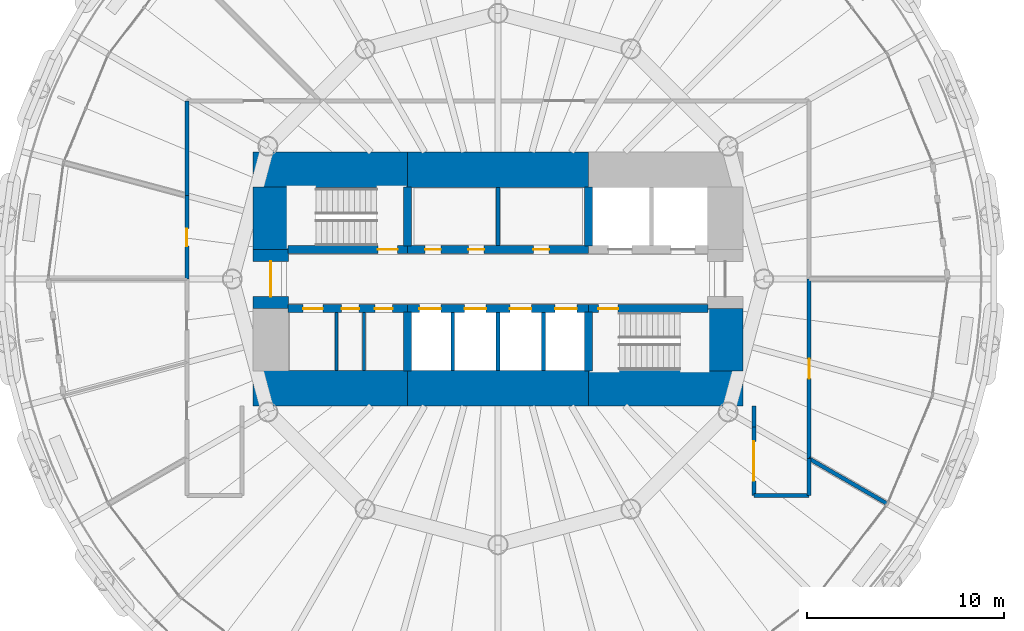
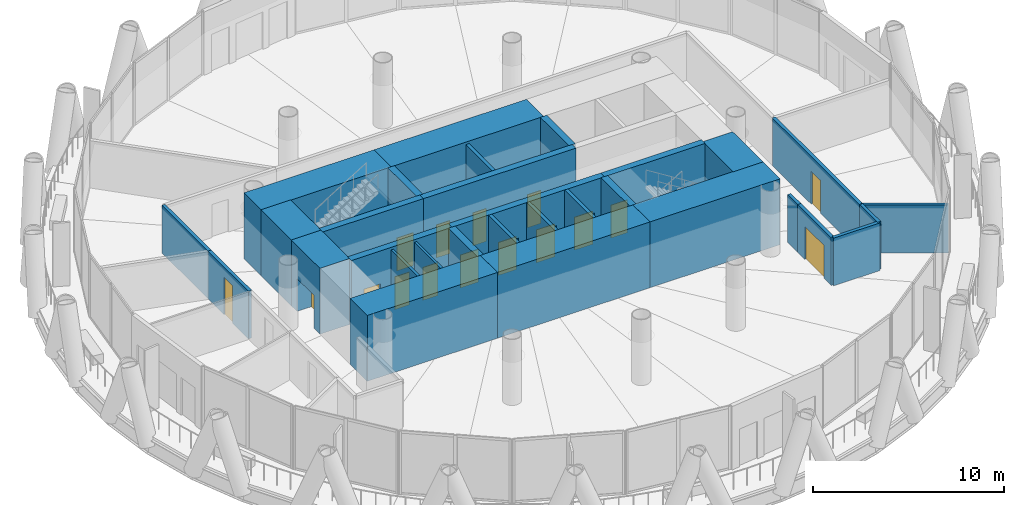
# One storey, part 10 of 15: 31 walls, 16 doors, 16 openings.
"""IFC4 building model written with IfcOpenShell, lengths in metres."""

from ifc_helpers import new_model, si_unit, direction, frame, frame_2d, origin, place, context, subcontext, project, spatial, rectangle, extrude, material, layer, layer_set, type_object, element, fill, save


model = new_model("IFC4")

# Units and contexts
model_context = context("Model", 3, precision=1e-05, world=origin(), true_north=direction((0.0, 1.0)))
body_context = subcontext(model_context, "Body", "Model", "MODEL_VIEW")
ifc_project = project(units=[si_unit("LENGTHUNIT", "METRE"), si_unit("AREAUNIT", "SQUARE_METRE"), si_unit("VOLUMEUNIT", "CUBIC_METRE"), si_unit("PLANEANGLEUNIT", "RADIAN"), si_unit("MASSUNIT", "GRAM", prefix="KILO")], contexts=[model_context])

# Site, building, storey
site_placement = place(None, origin())
site = spatial("IfcSite", under=ifc_project, at=site_placement, CompositionType="ELEMENT")
building_placement = place(site_placement, origin())
building = spatial("IfcBuilding", under=site, at=building_placement, Name="Qaws Media Tower", CompositionType="ELEMENT")
storey_placement = place(building_placement, frame((0.0, 0.0, 114.199951171875)))
storey = spatial("IfcBuildingStorey", under=building, at=storey_placement, Name="L25", CompositionType="ELEMENT", Elevation=114.199951171875)

# Wall, opening, door
ifc_material_1 = material(Name="Concrete C60/75", Category="concrete")
ifc_layer_1 = layer(ifc_material_1, 0.39990234375)
ifc_layer_set_1 = layer_set([ifc_layer_1], Name="Core inner wall 400")
wall_type_1 = type_object("IfcWallType", Name="Core inner wall 400", PredefinedType="SHEAR", material=ifc_layer_set_1)
wall_1_placement = place(storey_placement, frame((49.330078125, 51.5, 0.0), z_axis=(0.0, 0.0, 1.0), x_axis=(1.0, 0.0, 0.0)))
wall_1 = element("IfcWall", 1, at=wall_1_placement, inside=storey, type_object=wall_type_1, Name="W321 SW4 core wall SPNW L25", PredefinedType="SHEAR", context=body_context, shape_type="SweptSolid", body=[
    extrude(rectangle(XDim=6.06982421875, YDim=0.39990234375, at=frame_2d((3.034912109375, 0.0))), origin(), (0.0, 0.0, 1.0), 4.199951171875),
])
opening_1_placement = place(wall_1_placement, frame((4.570068359375, 0.0, 0.0)))
opening_1 = element("IfcOpeningElement", 2, at=opening_1_placement, cuts=wall_1, Name="Opening D1", PredefinedType="OPENING", context=body_context, shape_type="SweptSolid", body=[
    extrude(rectangle(XDim=1.0, YDim=2.10009765625, at=frame_2d((0.5, 1.050048828125))), frame((0.0, 0.2099609375, 0.0), z_axis=(0.0, -1.0, 0.0), x_axis=(1.0, 0.0, 0.0)), (0.0, 0.0, 1.0), 0.419921875),
])
ifc_material_2 = material(Name="Steel, fire rated", Category="steel")
door_type_1 = type_object("IfcDoorType", Name="Stair door 1000 FD120", OperationType="SINGLE_SWING_LEFT", PredefinedType="DOOR", material=ifc_material_2)
door_1_placement = place(opening_1_placement, origin())
door_1 = element("IfcDoor", 3, at=door_1_placement, inside=storey, type_object=door_type_1, Name="D1 stair S1 door L25 in wall W321", OperationType="SINGLE_SWING_LEFT", OverallHeight=2.10009765625, OverallWidth=1.0, PredefinedType="DOOR", context=body_context, shape_type="SweptSolid", body=[
    extrude(rectangle(XDim=1.0, YDim=2.10009765625, at=frame_2d((0.5, 1.050048828125))), frame((0.0, 0.02490234375, 0.0), z_axis=(0.0, -1.0, 0.0), x_axis=(1.0, 0.0, 0.0)), (0.0, 0.0, 1.0), 0.050048828125),
])
fill(opening_1, door_1)

# Wall, openings, doors
wall_2_placement = place(storey_placement, frame((55.39990234375, 51.5, 0.0), z_axis=(0.0, 0.0, 1.0), x_axis=(1.0, 0.0, 0.0)))
wall_2 = element("IfcWall", 4, at=wall_2_placement, inside=storey, type_object=wall_type_1, Name="W314 SW4 core wall SPN L25", PredefinedType="SHEAR", context=body_context, shape_type="SweptSolid", body=[
    extrude(rectangle(XDim=9.2001953125, YDim=0.39990234375, at=frame_2d((4.60009765625, 0.0))), origin(), (0.0, 0.0, 1.0), 4.199951171875),
])
opening_2_placement = place(wall_2_placement, frame((0.89990234375, 0.0, 0.0)))
opening_2 = element("IfcOpeningElement", 5, at=opening_2_placement, cuts=wall_2, Name="Opening D23", PredefinedType="OPENING", context=body_context, shape_type="SweptSolid", body=[
    extrude(rectangle(XDim=0.800048828125, YDim=2.10009765625, at=frame_2d((0.39990234375, 1.050048828125))), frame((0.0, 0.2099609375, 0.0), z_axis=(0.0, -1.0, 0.0), x_axis=(1.0, 0.0, 0.0)), (0.0, 0.0, 1.0), 0.419921875),
])
opening_3_placement = place(wall_2_placement, frame((3.10009765625, 0.0, 0.0)))
opening_3 = element("IfcOpeningElement", 6, at=opening_3_placement, cuts=wall_2, Name="Opening D23", PredefinedType="OPENING", context=body_context, shape_type="SweptSolid", body=[
    extrude(rectangle(XDim=0.800048828125, YDim=2.10009765625, at=frame_2d((0.39990234375, 1.050048828125))), frame((0.0, 0.2099609375, 0.0), z_axis=(0.0, -1.0, 0.0), x_axis=(1.0, 0.0, 0.0)), (0.0, 0.0, 1.0), 0.419921875),
])
opening_4_placement = place(wall_2_placement, frame((6.39990234375, 0.0, 0.0)))
opening_4 = element("IfcOpeningElement", 7, at=opening_4_placement, cuts=wall_2, Name="Opening D23", PredefinedType="OPENING", context=body_context, shape_type="SweptSolid", body=[
    extrude(rectangle(XDim=0.800048828125, YDim=2.10009765625, at=frame_2d((0.39990234375, 1.050048828125))), frame((0.0, 0.2099609375, 0.0), z_axis=(0.0, -1.0, 0.0), x_axis=(1.0, 0.0, 0.0)), (0.0, 0.0, 1.0), 0.419921875),
])
ifc_material_3 = material(Name="Steel, fire rated", Category="steel")
door_type_2 = type_object("IfcDoorType", Name="Core room door 800x2100", OperationType="SINGLE_SWING_LEFT", PredefinedType="DOOR", material=ifc_material_3)
door_2_placement = place(opening_2_placement, origin())
door_2 = element("IfcDoor", 8, at=door_2_placement, inside=storey, type_object=door_type_2, Name="D23 Ladies toilets door L25 1 in wall W314", OperationType="SINGLE_SWING_LEFT", OverallHeight=2.10009765625, OverallWidth=0.800048828125, PredefinedType="DOOR", context=body_context, shape_type="SweptSolid", body=[
    extrude(rectangle(XDim=0.800048828125, YDim=2.10009765625, at=frame_2d((0.39990234375, 1.050048828125))), frame((0.0, 0.02490234375, 0.0), z_axis=(0.0, -1.0, 0.0), x_axis=(1.0, 0.0, 0.0)), (0.0, 0.0, 1.0), 0.050048828125),
])
fill(opening_2, door_2)
door_3_placement = place(opening_3_placement, origin())
door_3 = element("IfcDoor", 9, at=door_3_placement, inside=storey, type_object=door_type_2, Name="D23 Ladies toilets door L25 2 in wall W314", OperationType="SINGLE_SWING_LEFT", OverallHeight=2.10009765625, OverallWidth=0.800048828125, PredefinedType="DOOR", context=body_context, shape_type="SweptSolid", body=[
    extrude(rectangle(XDim=0.800048828125, YDim=2.10009765625, at=frame_2d((0.39990234375, 1.050048828125))), frame((0.0, 0.02490234375, 0.0), z_axis=(0.0, -1.0, 0.0), x_axis=(1.0, 0.0, 0.0)), (0.0, 0.0, 1.0), 0.050048828125),
])
fill(opening_3, door_3)
door_4_placement = place(opening_4_placement, origin())
door_4 = element("IfcDoor", 10, at=door_4_placement, inside=storey, type_object=door_type_2, Name="D23 Gents toilets door L25 in wall W314", OperationType="SINGLE_SWING_LEFT", OverallHeight=2.10009765625, OverallWidth=0.800048828125, PredefinedType="DOOR", context=body_context, shape_type="SweptSolid", body=[
    extrude(rectangle(XDim=0.800048828125, YDim=2.10009765625, at=frame_2d((0.39990234375, 1.050048828125))), frame((0.0, 0.02490234375, 0.0), z_axis=(0.0, -1.0, 0.0), x_axis=(1.0, 0.0, 0.0)), (0.0, 0.0, 1.0), 0.050048828125),
])
fill(opening_4, door_4)

wall_3_placement = place(storey_placement, frame((49.330078125, 48.5, 0.0), z_axis=(0.0, 0.0, 1.0), x_axis=(1.0, 0.0, 0.0)))
wall_3 = element("IfcWall", 11, at=wall_3_placement, inside=storey, type_object=wall_type_1, Name="W320 SW4 core wall SPSW L25", PredefinedType="SHEAR", context=body_context, shape_type="SweptSolid", body=[
    extrude(rectangle(XDim=6.06982421875, YDim=0.39990234375, at=frame_2d((3.034912109375, 0.0))), origin(), (0.0, 0.0, 1.0), 4.199951171875),
])
opening_5_placement = place(wall_3_placement, frame((0.77001953125, 0.0, 0.0)))
opening_5 = element("IfcOpeningElement", 12, at=opening_5_placement, cuts=wall_3, Name="Opening D4", PredefinedType="OPENING", context=body_context, shape_type="SweptSolid", body=[
    extrude(rectangle(XDim=1.0, YDim=2.10009765625, at=frame_2d((0.5, 1.050048828125))), frame((0.0, 0.2099609375, 0.0), z_axis=(0.0, -1.0, 0.0), x_axis=(1.0, 0.0, 0.0)), (0.0, 0.0, 1.0), 0.419921875),
])
opening_6_placement = place(wall_3_placement, frame((2.719970703125, 0.0, 0.0)))
opening_6 = element("IfcOpeningElement", 13, at=opening_6_placement, cuts=wall_3, Name="Opening D25", PredefinedType="OPENING", context=body_context, shape_type="SweptSolid", body=[
    extrude(rectangle(XDim=0.89990234375, YDim=2.10009765625, at=frame_2d((0.449951171875, 1.050048828125))), frame((0.0, 0.2099609375, 0.0), z_axis=(0.0, -1.0, 0.0), x_axis=(1.0, 0.0, 0.0)), (0.0, 0.0, 1.0), 0.419921875),
])
opening_7_placement = place(wall_3_placement, frame((4.419921875, 0.0, 0.0)))
opening_7 = element("IfcOpeningElement", 14, at=opening_7_placement, cuts=wall_3, Name="Opening D25", PredefinedType="OPENING", context=body_context, shape_type="SweptSolid", body=[
    extrude(rectangle(XDim=0.89990234375, YDim=2.10009765625, at=frame_2d((0.449951171875, 1.050048828125))), frame((0.0, 0.2099609375, 0.0), z_axis=(0.0, -1.0, 0.0), x_axis=(1.0, 0.0, 0.0)), (0.0, 0.0, 1.0), 0.419921875),
])
ifc_material_4 = material(Name="Timber veneered", Category="wood")
door_type_3 = type_object("IfcDoorType", Name="Accessible WC door 1000", OperationType="SLIDING_TO_LEFT", PredefinedType="DOOR", material=ifc_material_4)
door_5_placement = place(opening_5_placement, origin())
door_5 = element("IfcDoor", 15, at=door_5_placement, inside=storey, type_object=door_type_3, Name="D4 toilet door 1 L25 in wall W320", OperationType="SLIDING_TO_LEFT", OverallHeight=2.10009765625, OverallWidth=1.0, PredefinedType="DOOR", context=body_context, shape_type="SweptSolid", body=[
    extrude(rectangle(XDim=1.0, YDim=2.10009765625, at=frame_2d((0.5, 1.050048828125))), frame((0.0, 0.02490234375, 0.0), z_axis=(0.0, -1.0, 0.0), x_axis=(1.0, 0.0, 0.0)), (0.0, 0.0, 1.0), 0.050048828125),
])
fill(opening_5, door_5)
ifc_material_5 = material(Name="Steel, fire rated", Category="steel")
door_type_4 = type_object("IfcDoorType", Name="Core service door 900", OperationType="SINGLE_SWING_RIGHT", PredefinedType="DOOR", material=ifc_material_5)
door_6_placement = place(opening_6_placement, origin())
door_6 = element("IfcDoor", 16, at=door_6_placement, inside=storey, type_object=door_type_4, Name="D25 toilet door 2 L25 in wall W320", OperationType="SINGLE_SWING_RIGHT", OverallHeight=2.10009765625, OverallWidth=0.89990234375, PredefinedType="DOOR", context=body_context, shape_type="SweptSolid", body=[
    extrude(rectangle(XDim=0.89990234375, YDim=2.10009765625, at=frame_2d((0.449951171875, 1.050048828125))), frame((0.0, 0.02490234375, 0.0), z_axis=(0.0, -1.0, 0.0), x_axis=(1.0, 0.0, 0.0)), (0.0, 0.0, 1.0), 0.050048828125),
])
fill(opening_6, door_6)
door_7_placement = place(opening_7_placement, origin())
door_7 = element("IfcDoor", 17, at=door_7_placement, inside=storey, type_object=door_type_4, Name="D25 toilet door 3 L25 in wall W320", OperationType="SINGLE_SWING_RIGHT", OverallHeight=2.10009765625, OverallWidth=0.89990234375, PredefinedType="DOOR", context=body_context, shape_type="SweptSolid", body=[
    extrude(rectangle(XDim=0.89990234375, YDim=2.10009765625, at=frame_2d((0.449951171875, 1.050048828125))), frame((0.0, 0.02490234375, 0.0), z_axis=(0.0, -1.0, 0.0), x_axis=(1.0, 0.0, 0.0)), (0.0, 0.0, 1.0), 0.050048828125),
])
fill(opening_7, door_7)

wall_4_placement = place(storey_placement, frame((55.39990234375, 48.5, 0.0), z_axis=(0.0, 0.0, 1.0), x_axis=(1.0, 0.0, 0.0)))
wall_4 = element("IfcWall", 18, at=wall_4_placement, inside=storey, type_object=wall_type_1, Name="W313 SW4 core wall SPS L25", PredefinedType="SHEAR", context=body_context, shape_type="SweptSolid", body=[
    extrude(rectangle(XDim=9.2001953125, YDim=0.39990234375, at=frame_2d((4.60009765625, 0.0))), origin(), (0.0, 0.0, 1.0), 4.199951171875),
])
opening_8_placement = place(wall_4_placement, frame((0.60009765625, 0.0, 0.0)))
opening_8 = element("IfcOpeningElement", 19, at=opening_8_placement, cuts=wall_4, Name="Opening LD", PredefinedType="OPENING", context=body_context, shape_type="SweptSolid", body=[
    extrude(rectangle(XDim=1.10009765625, YDim=2.10009765625, at=frame_2d((0.550048828125, 1.050048828125))), frame((0.0, 0.2099609375, 0.0), z_axis=(0.0, -1.0, 0.0), x_axis=(1.0, 0.0, 0.0)), (0.0, 0.0, 1.0), 0.419921875),
])
opening_9_placement = place(wall_4_placement, frame((2.89990234375, 0.0, 0.0)))
opening_9 = element("IfcOpeningElement", 20, at=opening_9_placement, cuts=wall_4, Name="Opening LD", PredefinedType="OPENING", context=body_context, shape_type="SweptSolid", body=[
    extrude(rectangle(XDim=1.10009765625, YDim=2.10009765625, at=frame_2d((0.550048828125, 1.050048828125))), frame((0.0, 0.2099609375, 0.0), z_axis=(0.0, -1.0, 0.0), x_axis=(1.0, 0.0, 0.0)), (0.0, 0.0, 1.0), 0.419921875),
])
opening_10_placement = place(wall_4_placement, frame((5.199951171875, 0.0, 0.0)))
opening_10 = element("IfcOpeningElement", 21, at=opening_10_placement, cuts=wall_4, Name="Opening LD", PredefinedType="OPENING", context=body_context, shape_type="SweptSolid", body=[
    extrude(rectangle(XDim=1.10009765625, YDim=2.10009765625, at=frame_2d((0.550048828125, 1.050048828125))), frame((0.0, 0.2099609375, 0.0), z_axis=(0.0, -1.0, 0.0), x_axis=(1.0, 0.0, 0.0)), (0.0, 0.0, 1.0), 0.419921875),
])
opening_11_placement = place(wall_4_placement, frame((7.5, 0.0, 0.0)))
opening_11 = element("IfcOpeningElement", 22, at=opening_11_placement, cuts=wall_4, Name="Opening LD", PredefinedType="OPENING", context=body_context, shape_type="SweptSolid", body=[
    extrude(rectangle(XDim=1.10009765625, YDim=2.10009765625, at=frame_2d((0.550048828125, 1.050048828125))), frame((0.0, 0.2099609375, 0.0), z_axis=(0.0, -1.0, 0.0), x_axis=(1.0, 0.0, 0.0)), (0.0, 0.0, 1.0), 0.419921875),
])
ifc_material_6 = material(Name="Steel, fire rated", Category="steel")
door_type_5 = type_object("IfcDoorType", Name="Lift landing door 1100", OperationType="SLIDING_TO_LEFT", PredefinedType="DOOR", material=ifc_material_6)
door_8_placement = place(opening_8_placement, origin())
door_8 = element("IfcDoor", 23, at=door_8_placement, inside=storey, type_object=door_type_5, Name="P5 landing door L25 in wall W313", OperationType="SLIDING_TO_LEFT", OverallHeight=2.10009765625, OverallWidth=1.10009765625, PredefinedType="DOOR", context=body_context, shape_type="SweptSolid", body=[
    extrude(rectangle(XDim=1.10009765625, YDim=2.10009765625, at=frame_2d((0.550048828125, 1.050048828125))), frame((0.0, 0.02490234375, 0.0), z_axis=(0.0, -1.0, 0.0), x_axis=(1.0, 0.0, 0.0)), (0.0, 0.0, 1.0), 0.050048828125),
])
fill(opening_8, door_8)
door_9_placement = place(opening_9_placement, origin())
door_9 = element("IfcDoor", 24, at=door_9_placement, inside=storey, type_object=door_type_5, Name="P6 landing door L25 in wall W313", OperationType="SLIDING_TO_LEFT", OverallHeight=2.10009765625, OverallWidth=1.10009765625, PredefinedType="DOOR", context=body_context, shape_type="SweptSolid", body=[
    extrude(rectangle(XDim=1.10009765625, YDim=2.10009765625, at=frame_2d((0.550048828125, 1.050048828125))), frame((0.0, 0.02490234375, 0.0), z_axis=(0.0, -1.0, 0.0), x_axis=(1.0, 0.0, 0.0)), (0.0, 0.0, 1.0), 0.050048828125),
])
fill(opening_9, door_9)
door_10_placement = place(opening_10_placement, origin())
door_10 = element("IfcDoor", 25, at=door_10_placement, inside=storey, type_object=door_type_5, Name="P7 landing door L25 in wall W313", OperationType="SLIDING_TO_LEFT", OverallHeight=2.10009765625, OverallWidth=1.10009765625, PredefinedType="DOOR", context=body_context, shape_type="SweptSolid", body=[
    extrude(rectangle(XDim=1.10009765625, YDim=2.10009765625, at=frame_2d((0.550048828125, 1.050048828125))), frame((0.0, 0.02490234375, 0.0), z_axis=(0.0, -1.0, 0.0), x_axis=(1.0, 0.0, 0.0)), (0.0, 0.0, 1.0), 0.050048828125),
])
fill(opening_10, door_10)
door_11_placement = place(opening_11_placement, origin())
door_11 = element("IfcDoor", 26, at=door_11_placement, inside=storey, type_object=door_type_5, Name="P8 landing door L25 in wall W313", OperationType="SLIDING_TO_LEFT", OverallHeight=2.10009765625, OverallWidth=1.10009765625, PredefinedType="DOOR", context=body_context, shape_type="SweptSolid", body=[
    extrude(rectangle(XDim=1.10009765625, YDim=2.10009765625, at=frame_2d((0.550048828125, 1.050048828125))), frame((0.0, 0.02490234375, 0.0), z_axis=(0.0, -1.0, 0.0), x_axis=(1.0, 0.0, 0.0)), (0.0, 0.0, 1.0), 0.050048828125),
])
fill(opening_11, door_11)

# Wall, opening, door
wall_5_placement = place(storey_placement, frame((64.60009765625, 48.5, 0.0), z_axis=(0.0, 0.0, 1.0), x_axis=(1.0, 0.0, 0.0)))
wall_5 = element("IfcWall", 27, at=wall_5_placement, inside=storey, type_object=wall_type_1, Name="W325 SW4 core wall SPSE L25", PredefinedType="SHEAR", context=body_context, shape_type="SweptSolid", body=[
    extrude(rectangle(XDim=6.06982421875, YDim=0.39990234375, at=frame_2d((3.034912109375, 0.0))), origin(), (0.0, 0.0, 1.0), 4.199951171875),
])
opening_12_placement = place(wall_5_placement, frame((0.5, 0.0, 0.0)))
opening_12 = element("IfcOpeningElement", 28, at=opening_12_placement, cuts=wall_5, Name="Opening D1", PredefinedType="OPENING", context=body_context, shape_type="SweptSolid", body=[
    extrude(rectangle(XDim=1.0, YDim=2.10009765625, at=frame_2d((0.5, 1.050048828125))), frame((0.0, 0.2099609375, 0.0), z_axis=(0.0, -1.0, 0.0), x_axis=(1.0, 0.0, 0.0)), (0.0, 0.0, 1.0), 0.419921875),
])
door_12_placement = place(opening_12_placement, origin())
door_12 = element("IfcDoor", 29, at=door_12_placement, inside=storey, type_object=door_type_1, Name="D1 stair S2 door L25 in wall W325", OperationType="SINGLE_SWING_LEFT", OverallHeight=2.10009765625, OverallWidth=1.0, PredefinedType="DOOR", context=body_context, shape_type="SweptSolid", body=[
    extrude(rectangle(XDim=1.0, YDim=2.10009765625, at=frame_2d((0.5, 1.050048828125))), frame((0.0, 0.02490234375, 0.0), z_axis=(0.0, -1.0, 0.0), x_axis=(1.0, 0.0, 0.0)), (0.0, 0.0, 1.0), 0.050048828125),
])
fill(opening_12, door_12)

# Walls
for number, where, z_axis, x_axis, name in (
    (30, (55.39990234375, 51.679931640625, 0.0), (0.0, 0.0, 1.0), (0.0, 1.0, 0.0), "W323 SW4 core wall XNW L25"),
    (31, (64.60009765625, 51.679931640625, 0.0), (0.0, 0.0, 1.0), (0.0, 1.0, 0.0), "W327 SW4 core wall XNE L25"),
    (32, (55.39990234375, 48.320068359375, 0.0), (0.0, 0.0, 1.0), (0.0, -1.0, 0.0), "W322 SW4 core wall XSW L25"),
    (33, (64.60009765625, 48.320068359375, 0.0), (0.0, 0.0, 1.0), (0.0, -1.0, 0.0), "W324 SW4 core wall XSE L25"),
):
    element("IfcWall", number, at=place(storey_placement, frame(where, z_axis=z_axis, x_axis=x_axis)), inside=storey, type_object=wall_type_1, Name=name, PredefinedType="SHEAR", context=body_context, shape_type="SweptSolid", body=[
        extrude(rectangle(XDim=2.989990234375, YDim=0.39990234375, at=frame_2d((1.4951171875, 0.0))), origin(), (0.0, 0.0, 1.0), 4.199951171875),
    ])
ifc_material_7 = material(Name="Concrete C60/75", Category="concrete")
ifc_layer_2 = layer(ifc_material_7, 1.800048828125)
ifc_layer_set_2 = layer_set([ifc_layer_2], Name="Core wall 1800")
wall_type_2 = type_object("IfcWallType", Name="Core wall 1800", PredefinedType="SHEAR", material=ifc_layer_set_2)
wall_6_placement = place(storey_placement, frame((47.550048828125, 55.550048828125, 0.0), z_axis=(0.0, 0.0, 1.0), x_axis=(1.0, 0.0, 0.0)))
element("IfcWall", 34, at=wall_6_placement, inside=storey, type_object=wall_type_2, Name="W417 SW11 core wall NW L25", PredefinedType="SHEAR", context=body_context, shape_type="SweptSolid", body=[
    extrude(rectangle(XDim=7.849853515625, YDim=1.800048828125, at=frame_2d((3.9248046875, 0.0))), origin(), (0.0, 0.0, 1.0), 4.199951171875),
])
wall_7_placement = place(storey_placement, frame((55.39990234375, 55.550048828125, 0.0), z_axis=(0.0, 0.0, 1.0), x_axis=(1.0, 0.0, 0.0)))
element("IfcWall", 35, at=wall_7_placement, inside=storey, type_object=wall_type_2, Name="W421 SW11 core wall N L25", PredefinedType="SHEAR", context=body_context, shape_type="SweptSolid", body=[
    extrude(rectangle(XDim=9.2001953125, YDim=1.800048828125, at=frame_2d((4.60009765625, 0.0))), origin(), (0.0, 0.0, 1.0), 4.199951171875),
])
wall_8_placement = place(storey_placement, frame((47.550048828125, 44.449951171875, 0.0), z_axis=(0.0, 0.0, 1.0), x_axis=(1.0, 0.0, 0.0)))
element("IfcWall", 36, at=wall_8_placement, inside=storey, type_object=wall_type_2, Name="W416 SW11 core wall SW L25", PredefinedType="SHEAR", context=body_context, shape_type="SweptSolid", body=[
    extrude(rectangle(XDim=7.849853515625, YDim=1.800048828125, at=frame_2d((3.9248046875, 0.0))), origin(), (0.0, 0.0, 1.0), 4.199951171875),
])
wall_9_placement = place(storey_placement, frame((55.39990234375, 44.449951171875, 0.0), z_axis=(0.0, 0.0, 1.0), x_axis=(1.0, 0.0, 0.0)))
element("IfcWall", 37, at=wall_9_placement, inside=storey, type_object=wall_type_2, Name="W420 SW11 core wall S L25", PredefinedType="SHEAR", context=body_context, shape_type="SweptSolid", body=[
    extrude(rectangle(XDim=9.2001953125, YDim=1.800048828125, at=frame_2d((4.60009765625, 0.0))), origin(), (0.0, 0.0, 1.0), 4.199951171875),
])
wall_10_placement = place(storey_placement, frame((64.60009765625, 44.449951171875, 0.0), z_axis=(0.0, 0.0, 1.0), x_axis=(1.0, 0.0, 0.0)))
element("IfcWall", 38, at=wall_10_placement, inside=storey, type_object=wall_type_2, Name="W422 SW11 core wall SE L25", PredefinedType="SHEAR", context=body_context, shape_type="SweptSolid", body=[
    extrude(rectangle(XDim=7.849853515625, YDim=1.800048828125, at=frame_2d((3.9248046875, 0.0))), origin(), (0.0, 0.0, 1.0), 4.199951171875),
])
wall_11_placement = place(storey_placement, frame((71.550048828125, 45.330078125, 0.0), z_axis=(0.0, 0.0, 1.0), x_axis=(0.0, 1.0, 0.0)))
element("IfcWall", 39, at=wall_11_placement, inside=storey, type_object=wall_type_2, Name="W424 SW11 core wall ES L25", PredefinedType="SHEAR", context=body_context, shape_type="SweptSolid", body=[
    extrude(rectangle(XDim=3.169921875, YDim=1.800048828125, at=frame_2d((1.5849609375, 0.0))), origin(), (0.0, 0.0, 1.0), 4.199951171875),
])

# Wall, opening, door
wall_12_placement = place(storey_placement, frame((48.449951171875, 48.5, 0.0), z_axis=(0.0, 0.0, 1.0), x_axis=(0.0, 1.0, 0.0)))
wall_12 = element("IfcWall", 40, at=wall_12_placement, inside=storey, type_object=wall_type_2, Name="W426 SW11 core wall W L25", PredefinedType="SHEAR", context=body_context, shape_type="SweptSolid", body=[
    extrude(rectangle(XDim=3.0, YDim=1.800048828125, at=frame_2d((1.5, 0.0))), origin(), (0.0, 0.0, 1.0), 4.199951171875),
])
opening_13_placement = place(wall_12_placement, frame((0.60009765625, 0.0, 0.0)))
opening_13 = element("IfcOpeningElement", 41, at=opening_13_placement, cuts=wall_12, Name="Opening D2", PredefinedType="OPENING", context=body_context, shape_type="SweptSolid", body=[
    extrude(rectangle(XDim=1.800048828125, YDim=2.10009765625, at=frame_2d((0.89990234375, 1.050048828125))), frame((0.0, 0.909912109375, 0.0), z_axis=(0.0, -1.0, 0.0), x_axis=(1.0, 0.0, 0.0)), (0.0, 0.0, 1.0), 1.820068359375),
])
ifc_material_8 = material(Name="Steel and glass, fire rated", Category="steel")
door_type_6 = type_object("IfcDoorType", Name="Lobby door pair 1800 FD60", OperationType="DOUBLE_DOOR_DOUBLE_SWING", PredefinedType="DOOR", material=ifc_material_8)
door_13_placement = place(opening_13_placement, origin())
door_13 = element("IfcDoor", 42, at=door_13_placement, inside=storey, type_object=door_type_6, Name="D2 core lobby door W L25 in wall W426", OperationType="DOUBLE_DOOR_DOUBLE_SWING", OverallHeight=2.10009765625, OverallWidth=1.800048828125, PredefinedType="DOOR", context=body_context, shape_type="SweptSolid", body=[
    extrude(rectangle(XDim=1.800048828125, YDim=2.10009765625, at=frame_2d((0.89990234375, 1.050048828125))), frame((0.0, 0.02490234375, 0.0), z_axis=(0.0, -1.0, 0.0), x_axis=(1.0, 0.0, 0.0)), (0.0, 0.0, 1.0), 0.050048828125),
])
fill(opening_13, door_13)

# Wall
wall_13_placement = place(storey_placement, frame((48.449951171875, 51.5, 0.0), z_axis=(0.0, 0.0, 1.0), x_axis=(0.0, 1.0, 0.0)))
element("IfcWall", 43, at=wall_13_placement, inside=storey, type_object=wall_type_2, Name="W419 SW11 core wall WN L25", PredefinedType="SHEAR", context=body_context, shape_type="SweptSolid", body=[
    extrude(rectangle(XDim=3.169921875, YDim=1.800048828125, at=frame_2d((1.5849609375, 0.0))), origin(), (0.0, 0.0, 1.0), 4.199951171875),
])

# Wall, opening, door
ifc_material_9 = material(Name="Gypsum board on galvanised metal studs, acoustic double stud, deflection head", Category="gypsum")
ifc_layer_3 = layer(ifc_material_9, 0.199951171875)
ifc_layer_set_3 = layer_set([ifc_layer_3], Name="Room partition 200")
wall_type_3 = type_object("IfcWallType", Name="Room partition 200", PredefinedType="PARTITIONING", material=ifc_layer_set_3)
wall_14_placement = place(storey_placement, frame((75.800048828125, 50.0, 0.0), z_axis=(0.0, 0.0, 1.0), x_axis=(0.0, -1.0, 0.0)))
wall_14 = element("IfcWall", 44, at=wall_14_placement, inside=storey, type_object=wall_type_3, Name="W1233 IW3 partition L25", PredefinedType="PARTITIONING", context=body_context, shape_type="SweptSolid", body=[
    extrude(rectangle(XDim=9.1220703125, YDim=0.199951171875, at=frame_2d((4.56103515625, 0.0))), origin(), (0.0, 0.0, 1.0), 3.0400390625),
])
opening_14_placement = place(wall_14_placement, frame((4.06103515625, 0.0, 0.0)))
opening_14 = element("IfcOpeningElement", 45, at=opening_14_placement, cuts=wall_14, Name="Opening D5", PredefinedType="OPENING", context=body_context, shape_type="SweptSolid", body=[
    extrude(rectangle(XDim=1.0, YDim=2.10009765625, at=frame_2d((0.5, 1.050048828125))), frame((0.0, 0.10986328125, 0.0), z_axis=(0.0, -1.0, 0.0), x_axis=(1.0, 0.0, 0.0)), (0.0, 0.0, 1.0), 0.219970703125),
])
ifc_material_10 = material(Name="Timber veneered, acoustic seal", Category="wood")
door_type_7 = type_object("IfcDoorType", Name="Room door 1000", OperationType="SINGLE_SWING_LEFT", PredefinedType="DOOR", material=ifc_material_10)
door_14_placement = place(opening_14_placement, origin())
door_14 = element("IfcDoor", 46, at=door_14_placement, inside=storey, type_object=door_type_7, Name="D5 Sales office door L25 in wall W1233", OperationType="SINGLE_SWING_LEFT", OverallHeight=2.10009765625, OverallWidth=1.0, PredefinedType="DOOR", context=body_context, shape_type="SweptSolid", body=[
    extrude(rectangle(XDim=1.0, YDim=2.10009765625, at=frame_2d((0.5, 1.050048828125))), frame((0.0, 0.02490234375, 0.0), z_axis=(0.0, -1.0, 0.0), x_axis=(1.0, 0.0, 0.0)), (0.0, 0.0, 1.0), 0.050048828125),
])
fill(opening_14, door_14)

# Walls
wall_15_placement = place(storey_placement, frame((75.800048828125, 40.8779296875, 0.0), z_axis=(0.0, 0.0, 1.0), x_axis=(0.0, -1.0, 0.0)))
element("IfcWall", 47, at=wall_15_placement, inside=storey, type_object=wall_type_3, Name="W1232 IW3 partition L25", PredefinedType="PARTITIONING", context=body_context, shape_type="SweptSolid", body=[
    extrude(rectangle(XDim=1.8779296875, YDim=0.199951171875, at=frame_2d((0.93896484375, 0.0))), origin(), (0.0, 0.0, 1.0), 3.0400390625),
])
wall_16_placement = place(storey_placement, frame((75.800048828125, 39.0, 0.0), z_axis=(0.0, 0.0, 1.0), x_axis=(-1.0, 0.0, 0.0)))
element("IfcWall", 48, at=wall_16_placement, inside=storey, type_object=wall_type_3, Name="W1231 IW3 partition L25", PredefinedType="PARTITIONING", context=body_context, shape_type="SweptSolid", body=[
    extrude(rectangle(XDim=2.800048828125, YDim=0.199951171875, at=frame_2d((1.39990234375, 0.0))), origin(), (0.0, 0.0, 1.0), 3.0400390625),
])

# Wall, opening, door
wall_17_placement = place(storey_placement, frame((73.0, 39.0, 0.0), z_axis=(0.0, 0.0, 1.0), x_axis=(0.0, 1.0, 0.0)))
wall_17 = element("IfcWall", 49, at=wall_17_placement, inside=storey, type_object=wall_type_3, Name="W1228 IW3 partition L25", PredefinedType="PARTITIONING", context=body_context, shape_type="SweptSolid", body=[
    extrude(rectangle(XDim=3.494384765625, YDim=0.199951171875, at=frame_2d((1.7470703125, 0.0))), origin(), (0.0, 0.0, 1.0), 3.0400390625),
])
opening_15_placement = place(wall_17_placement, frame((0.747314453125, 0.0, 0.0)))
opening_15 = element("IfcOpeningElement", 50, at=opening_15_placement, cuts=wall_17, Name="Opening D6", PredefinedType="OPENING", context=body_context, shape_type="SweptSolid", body=[
    extrude(rectangle(XDim=2.0, YDim=2.10009765625, at=frame_2d((1.0, 1.050048828125))), frame((0.0, 0.10986328125, 0.0), z_axis=(0.0, -1.0, 0.0), x_axis=(1.0, 0.0, 0.0)), (0.0, 0.0, 1.0), 0.219970703125),
])
ifc_material_11 = material(Name="Steel, acoustic, fire rated", Category="steel")
door_type_8 = type_object("IfcDoorType", Name="Room door pair 2000", OperationType="DOUBLE_DOOR_DOUBLE_SWING", PredefinedType="DOOR", material=ifc_material_11)
door_15_placement = place(opening_15_placement, origin())
door_15 = element("IfcDoor", 51, at=door_15_placement, inside=storey, type_object=door_type_8, Name="D6 Sales office door L25 in wall W1228", OperationType="DOUBLE_DOOR_DOUBLE_SWING", OverallHeight=2.10009765625, OverallWidth=2.0, PredefinedType="DOOR", context=body_context, shape_type="SweptSolid", body=[
    extrude(rectangle(XDim=2.0, YDim=2.10009765625, at=frame_2d((1.0, 1.050048828125))), frame((0.0, 0.02490234375, 0.0), z_axis=(0.0, -1.0, 0.0), x_axis=(1.0, 0.0, 0.0)), (0.0, 0.0, 1.0), 0.050048828125),
])
fill(opening_15, door_15)

# Wall
wall_18_placement = place(storey_placement, frame((73.0, 42.494384765625, 0.0), z_axis=(0.0, 0.0, 1.0), x_axis=(0.0, 1.0, 0.0)))
element("IfcWall", 52, at=wall_18_placement, inside=storey, type_object=wall_type_3, Name="W1229 IW3 partition L25", PredefinedType="PARTITIONING", context=body_context, shape_type="SweptSolid", body=[
    extrude(rectangle(XDim=1.0556640625, YDim=0.199951171875, at=frame_2d((0.52783203125, 0.0))), origin(), (0.0, 0.0, 1.0), 3.0400390625),
])

# Wall, opening, door
wall_19_placement = place(storey_placement, frame((44.199951171875, 50.0, 0.0), z_axis=(0.0, 0.0, 1.0), x_axis=(0.0, 1.0, 0.0)))
wall_19 = element("IfcWall", 53, at=wall_19_placement, inside=storey, type_object=wall_type_3, Name="W1218 IW3 partition L25", PredefinedType="PARTITIONING", context=body_context, shape_type="SweptSolid", body=[
    extrude(rectangle(XDim=4.233642578125, YDim=0.199951171875, at=frame_2d((2.11669921875, 0.0))), origin(), (0.0, 0.0, 1.0), 3.0400390625),
])
opening_16_placement = place(wall_19_placement, frame((1.666748046875, 0.0, 0.0)))
opening_16 = element("IfcOpeningElement", 54, at=opening_16_placement, cuts=wall_19, Name="Opening D12", PredefinedType="OPENING", context=body_context, shape_type="SweptSolid", body=[
    extrude(rectangle(XDim=0.89990234375, YDim=2.39990234375, at=frame_2d((0.449951171875, 1.199951171875))), frame((0.0, 0.10986328125, 0.0), z_axis=(0.0, -1.0, 0.0), x_axis=(1.0, 0.0, 0.0)), (0.0, 0.0, 1.0), 0.219970703125),
])
ifc_material_12 = material(Name="Timber veneered, full height", Category="wood")
door_type_9 = type_object("IfcDoorType", Name="Office door 900x2400", OperationType="SINGLE_SWING_LEFT", PredefinedType="DOOR", material=ifc_material_12)
door_16_placement = place(opening_16_placement, origin())
door_16 = element("IfcDoor", 55, at=door_16_placement, inside=storey, type_object=door_type_9, Name="D12 Office door L25 in wall W1218", OperationType="SINGLE_SWING_LEFT", OverallHeight=2.39990234375, OverallWidth=0.89990234375, PredefinedType="DOOR", context=body_context, shape_type="SweptSolid", body=[
    extrude(rectangle(XDim=0.89990234375, YDim=2.39990234375, at=frame_2d((0.449951171875, 1.199951171875))), frame((0.0, 0.02490234375, 0.0), z_axis=(0.0, -1.0, 0.0), x_axis=(1.0, 0.0, 0.0)), (0.0, 0.0, 1.0), 0.050048828125),
])
fill(opening_16, door_16)

# Walls
wall_20_placement = place(storey_placement, frame((44.199951171875, 54.233642578125, 0.0), z_axis=(0.0, 0.0, 1.0), x_axis=(0.0, 1.0, 0.0)))
element("IfcWall", 56, at=wall_20_placement, inside=storey, type_object=wall_type_3, Name="W1219 IW3 partition L25", PredefinedType="PARTITIONING", context=body_context, shape_type="SweptSolid", body=[
    extrude(rectangle(XDim=4.81640625, YDim=0.199951171875, at=frame_2d((2.408203125, 0.0))), origin(), (0.0, 0.0, 1.0), 3.0400390625),
])
wall_21_placement = place(storey_placement, frame((75.79638671875, 40.8798828125, 0.0), z_axis=(0.0, 0.0, 1.0), x_axis=(0.866021884273, -0.500006095923, 0.0)))
element("IfcWall", 57, at=wall_21_placement, inside=storey, type_object=wall_type_3, Name="W1239 IW3 partition L25", PredefinedType="PARTITIONING", context=body_context, shape_type="SweptSolid", body=[
    extrude(rectangle(XDim=4.56982421875, YDim=0.199951171875, at=frame_2d((2.284912109375, 0.0))), origin(), (0.0, 0.0, 1.0), 3.0400390625),
])
wall_22_placement = place(storey_placement, frame((60.0, 51.699951171875, 0.0), z_axis=(0.0, 0.0, 1.0), x_axis=(0.0, 1.0, 0.0)))
element("IfcWall", 58, at=wall_22_placement, inside=storey, type_object=wall_type_3, Name="W1227 IW3 core room partition 1 L25", PredefinedType="PARTITIONING", context=body_context, shape_type="SweptSolid", body=[
    extrude(rectangle(XDim=2.949951171875, YDim=0.199951171875, at=frame_2d((1.47509765625, 0.0))), origin(), (0.0, 0.0, 1.0), 4.0400390625),
])
ifc_material_13 = material(Name="Fire-rated gypsum board shaft wall on galvanised metal studs, deflection head", Category="gypsum")
ifc_layer_4 = layer(ifc_material_13, 0.199951171875)
ifc_layer_set_4 = layer_set([ifc_layer_4], Name="Shaft wall 200")
wall_type_4 = type_object("IfcWallType", Name="Shaft wall 200", PredefinedType="PARTITIONING", material=ifc_layer_set_4)
for number, where, z_axis, x_axis, name in (
    (59, (57.699951171875, 45.35009765625, 0.0), (0.0, 0.0, 1.0), (0.0, 1.0, 0.0), "W1860 IW1 shaft wall S1 L25"),
    (60, (60.0, 45.35009765625, 0.0), (0.0, 0.0, 1.0), (0.0, 1.0, 0.0), "W1861 IW1 shaft wall S2 L25"),
    (61, (62.300048828125, 45.35009765625, 0.0), (0.0, 0.0, 1.0), (0.0, 1.0, 0.0), "W1862 IW1 shaft wall S3 L25"),
):
    element("IfcWall", number, at=place(storey_placement, frame(where, z_axis=z_axis, x_axis=x_axis)), inside=storey, type_object=wall_type_4, Name=name, PredefinedType="PARTITIONING", context=body_context, shape_type="SweptSolid", body=[
        extrude(rectangle(XDim=2.949951171875, YDim=0.199951171875, at=frame_2d((1.47509765625, 0.0))), origin(), (0.0, 0.0, 1.0), 4.199951171875),
    ])
ifc_material_14 = material(Name="Gypsum board on galvanised metal studs, deflection head", Category="gypsum")
ifc_layer_5 = layer(ifc_material_14, 0.14990234375)
ifc_layer_set_5 = layer_set([ifc_layer_5], Name="WC partition 150")
wall_type_5 = type_object("IfcWallType", Name="WC partition 150", PredefinedType="PARTITIONING", material=ifc_layer_set_5)
for number, where, z_axis, x_axis, name in (
    (62, (51.800048828125, 45.35009765625, 0.0), (0.0, 0.0, 1.0), (0.0, 1.0, 0.0), "W1912 IW2 toilet partition 1 L25"),
    (63, (53.199951171875, 45.35009765625, 0.0), (0.0, 0.0, 1.0), (0.0, 1.0, 0.0), "W1913 IW2 toilet partition 2 L25"),
):
    element("IfcWall", number, at=place(storey_placement, frame(where, z_axis=z_axis, x_axis=x_axis)), inside=storey, type_object=wall_type_5, Name=name, PredefinedType="PARTITIONING", context=body_context, shape_type="SweptSolid", body=[
        extrude(rectangle(XDim=2.949951171875, YDim=0.14990234375, at=frame_2d((1.47509765625, 0.0))), origin(), (0.0, 0.0, 1.0), 4.0400390625),
    ])

save(model, "model.ifc")
